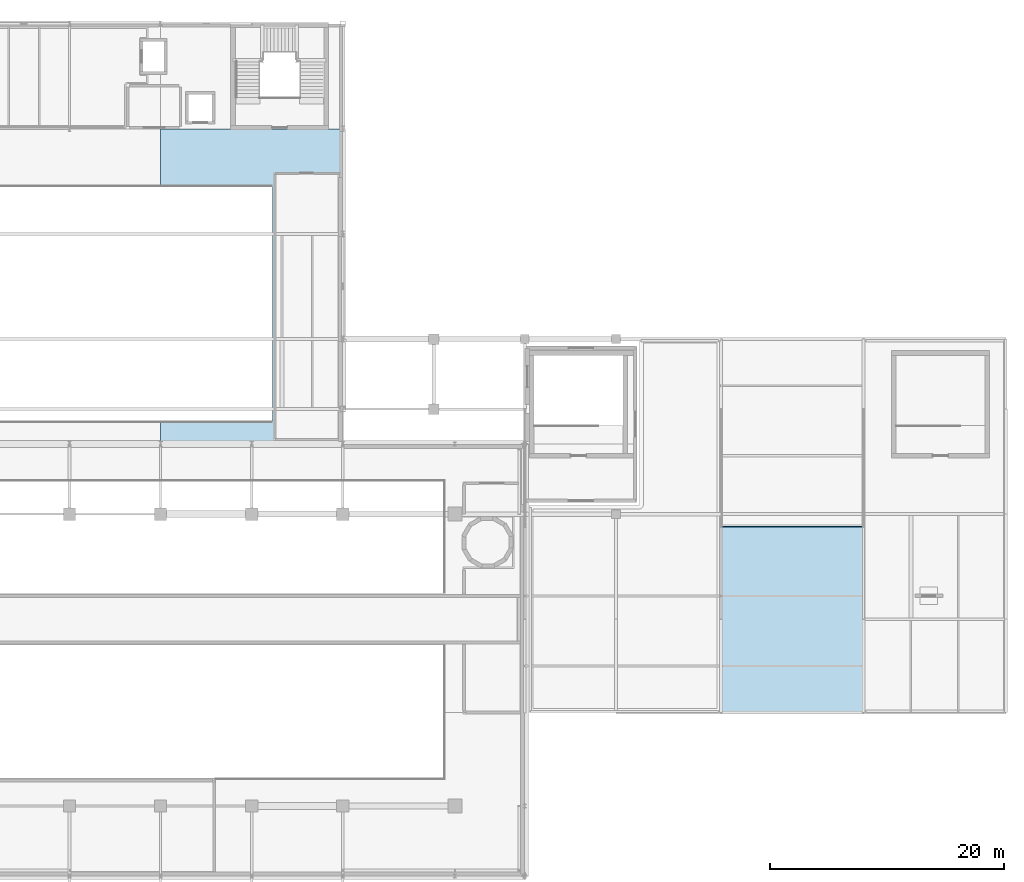
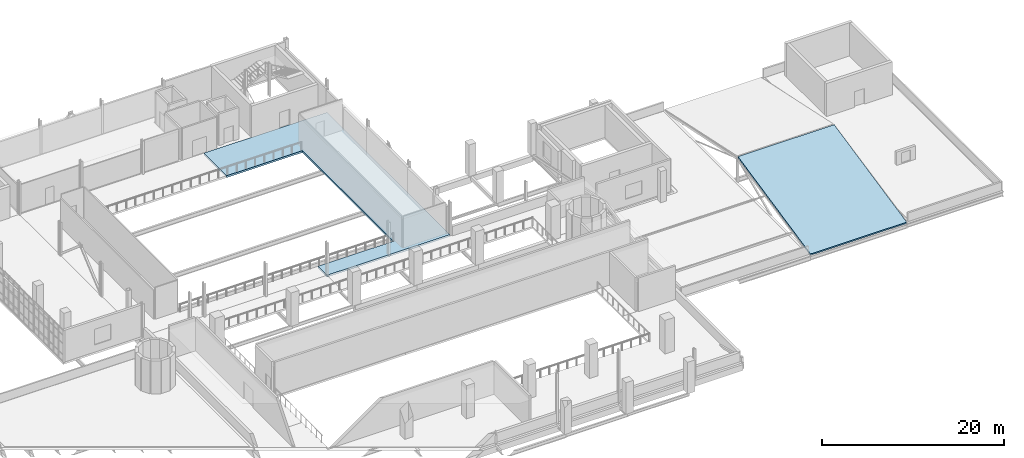
# One storey, part 57 of 85: 2 slabs.
"""IFC4 building model written with IfcOpenShell, lengths in metres."""

from ifc_helpers import new_model, si_unit, derived_unit, direction, frame, origin, place, context, subcontext, project, spatial, polyline, outline, extrude, material, layer, layer_set, type_object, element, save


model = new_model("IFC4")

# Units and contexts
model_context = context("Model", 3, precision=1e-05, world=origin(), true_north=direction((0.0, 1.0)))
body_context = subcontext(model_context, "Body", "Model", "MODEL_VIEW")
ifc_project = project(units=[si_unit("LENGTHUNIT", "METRE"), si_unit("AREAUNIT", "SQUARE_METRE"), si_unit("VOLUMEUNIT", "CUBIC_METRE"), si_unit("PLANEANGLEUNIT", "RADIAN"), si_unit("MASSUNIT", "GRAM", prefix="KILO"), derived_unit("THERMALTRANSMITTANCEUNIT", [(si_unit("POWERUNIT", "WATT"), 1), (si_unit("LENGTHUNIT", "METRE"), -2), (si_unit("THERMODYNAMICTEMPERATUREUNIT", "KELVIN"), -1)])], contexts=[model_context])

# Site, building, storey
site_placement = place(None, origin())
site = spatial("IfcSite", under=ifc_project, at=site_placement, CompositionType="ELEMENT")
building_placement = place(site_placement, origin())
building = spatial("IfcBuilding", under=site, at=building_placement, Name="Nallur Shell Playhouse", CompositionType="ELEMENT")
storey_placement = place(building_placement, frame((0.0, 0.0, 19.800048828125)))
storey = spatial("IfcBuildingStorey", under=building, at=storey_placement, Name="L05", CompositionType="ELEMENT", Elevation=19.800048828125)

# Slabs
ifc_material_1 = material(Name="Concrete M35", Category="concrete")
ifc_layer_1 = layer(ifc_material_1, 0.219970703125)
ifc_layer_set_1 = layer_set([ifc_layer_1], Name="Concrete M35")
slab_type_1 = type_object("IfcSlabType", Name="SL-FLATROOF-220", PredefinedType="ROOF", material=ifc_layer_set_1)
slab_1_placement = place(storey_placement, frame((135.39990234375, 24.0, 0.0), z_axis=(0.0, -0.208910432257, 0.977934778651), x_axis=(1.0, 0.0, 0.0)))
element("IfcSlab", 1, at=slab_1_placement, inside=storey, type_object=slab_type_1, Name="Studio Pavilion 12-deg south roof facet 1", PredefinedType="ROOF", context=body_context, shape_type="SweptSolid", body=[
    extrude(outline(polyline([(0.0, 0.0), (12.2001953125, 0.0), (12.2001953125, 16.279124357319706), (0.0, 16.279124357319706), (0.0, 0.0)])), origin(), (0.0, 0.0, -1.0), 0.219970703125),
])
ifc_material_2 = material(Name="Concrete M30", Category="concrete")
ifc_layer_2 = layer(ifc_material_2, 0.25)
ifc_layer_set_2 = layer_set([ifc_layer_2], Name="Concrete M30")
slab_type_2 = type_object("IfcSlabType", Name="SL-UPPER-250", PredefinedType="FLOOR", material=ifc_layer_set_2)
slab_2_placement = place(storey_placement, frame((0.0, 0.0, -0.25)))
element("IfcSlab", 2, at=slab_2_placement, inside=storey, type_object=slab_type_2, Name="L05 structural floor slab panel 13", PredefinedType="FLOOR", context=body_context, shape_type="SweptSolid", body=[
    extrude(outline(polyline([(103.0, 70.0), (103.0, 47.0), (87.39990234375, 47.0), (87.39990234375, 49.0), (97.0, 49.0), (97.0, 69.0), (87.39990234375, 69.0), (87.39990234375, 74.0), (103.0, 74.0), (103.0, 70.0)])), origin(), (0.0, 0.0, 1.0), 0.25),
])

save(model, "model.ifc")
